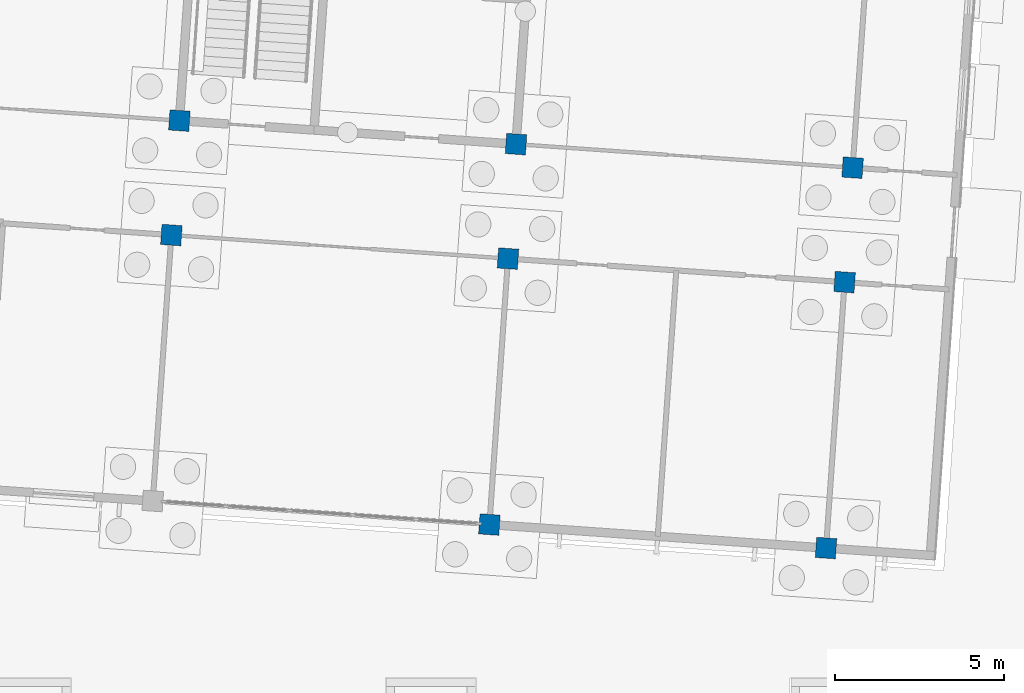
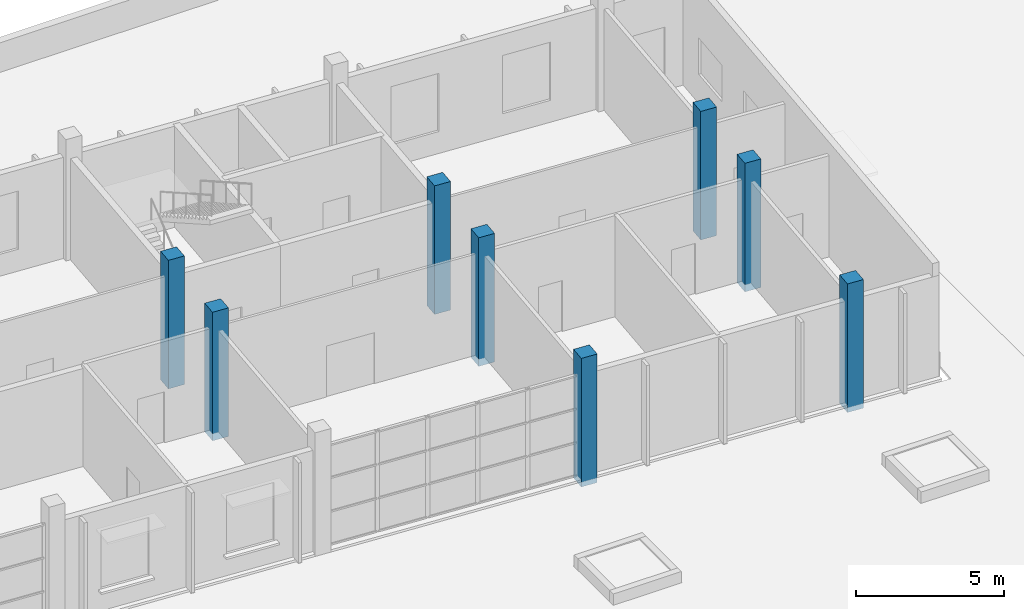
# One storey, part 26 of 157: 8 columns.
"""IFC4 building model written with IfcOpenShell, lengths in metres."""

from ifc_helpers import new_model, si_unit, direction, frame, origin, origin_2d, place, context, subcontext, project, spatial, rectangle, extrude, material, material_profile, profile_set, type_object, element, save


model = new_model("IFC4")

# Units and contexts
model_context = context("Model", 3, precision=1e-05, world=origin(), true_north=direction((0.0, 1.0)))
body_context = subcontext(model_context, "Body", "Model", "MODEL_VIEW")
ifc_project = project(units=[si_unit("LENGTHUNIT", "METRE"), si_unit("AREAUNIT", "SQUARE_METRE"), si_unit("VOLUMEUNIT", "CUBIC_METRE"), si_unit("PLANEANGLEUNIT", "RADIAN"), si_unit("MASSUNIT", "GRAM", prefix="KILO")], contexts=[model_context])

# Site, building, storey
site_placement = place(None, origin())
site = spatial("IfcSite", under=ifc_project, at=site_placement, CompositionType="ELEMENT")
building_placement = place(site_placement, origin())
building = spatial("IfcBuilding", under=site, at=building_placement, Name="Windward Yard Aquatics Centre", CompositionType="ELEMENT")
storey_placement = place(building_placement, origin())
storey = spatial("IfcBuildingStorey", under=building, at=storey_placement, Name="L00", CompositionType="ELEMENT", Elevation=0.0)

# Columns
ifc_material = material(Name="Concrete C50/60", Category="concrete")
ifc_material_profile = material_profile(ifc_material, rectangle(XDim=0.60009765625, YDim=0.60009765625, at=origin_2d()), Name="RC 600x600")
ifc_profile_set = profile_set([ifc_material_profile], Name="Concrete C50/60")
column_type = type_object("IfcColumnType", Name="W RC 600x600 column Concrete C50/60", PredefinedType="COLUMN", material=ifc_profile_set)
for number, where, z_axis, x_axis, name in (
    (1, (148.31689453125, 121.95556640625, -0.300048828125), (0.0, 0.0, 1.0), (0.99756405026, -0.069756473744, 0.0), "W.COL.L00.5B"),
    (2, (148.553955078125, 125.347412109375, -0.300048828125), (0.0, 0.0, 1.0), (0.99756405026, -0.069756473744, 0.0), "W.COL.L00.5C"),
    (3, (157.741455078125, 113.377197265625, -0.300048828125), (0.0, 0.0, 1.0), (0.99756405026, -0.069756473744, 0.0), "W.COL.L00.6A"),
    (4, (158.29248046875, 121.258056640625, -0.300048828125), (0.0, 0.0, 1.0), (0.99756405026, -0.069756473744, 0.0), "W.COL.L00.6B"),
    (5, (158.52978515625, 124.649658203125, -0.300048828125), (0.0, 0.0, 1.0), (0.99756405026, -0.069756473744, 0.0), "W.COL.L00.6C"),
    (6, (167.717041015625, 112.6796875, -0.300048828125), (0.0, 0.0, 1.0), (0.99756405026, -0.069756473744, 0.0), "W.COL.L00.7A"),
    (7, (168.26806640625, 120.560546875, -0.300048828125), (0.0, 0.0, 1.0), (0.99756405026, -0.069756473744, 0.0), "W.COL.L00.7B"),
    (8, (168.50537109375, 123.9521484375, -0.300048828125), (0.0, 0.0, 1.0), (0.99756405026, -0.069756473744, 0.0), "W.COL.L00.7C"),
):
    element("IfcColumn", number, at=place(storey_placement, frame(where, z_axis=z_axis, x_axis=x_axis)), inside=storey, type_object=column_type, Name=name, PredefinedType="COLUMN", context=body_context, shape_type="SweptSolid", body=[
        extrude(rectangle(XDim=0.60009765625, YDim=0.60009765625, at=origin_2d()), origin(), (0.0, 0.0, 1.0), 5.300048828125),
    ])

save(model, "model.ifc")
